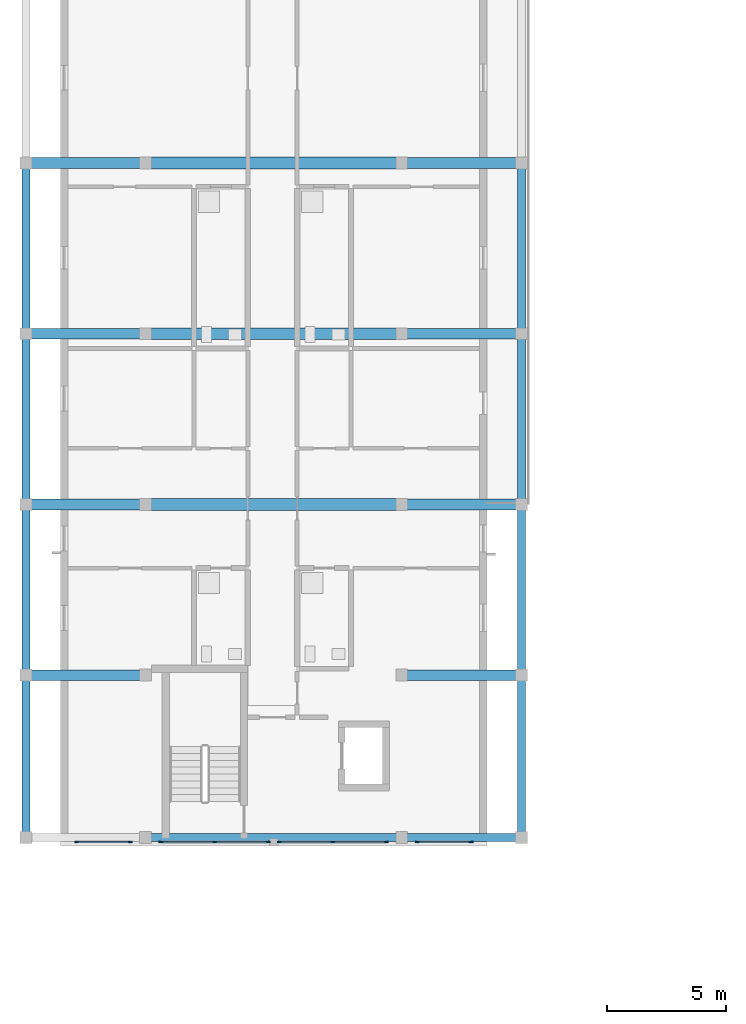
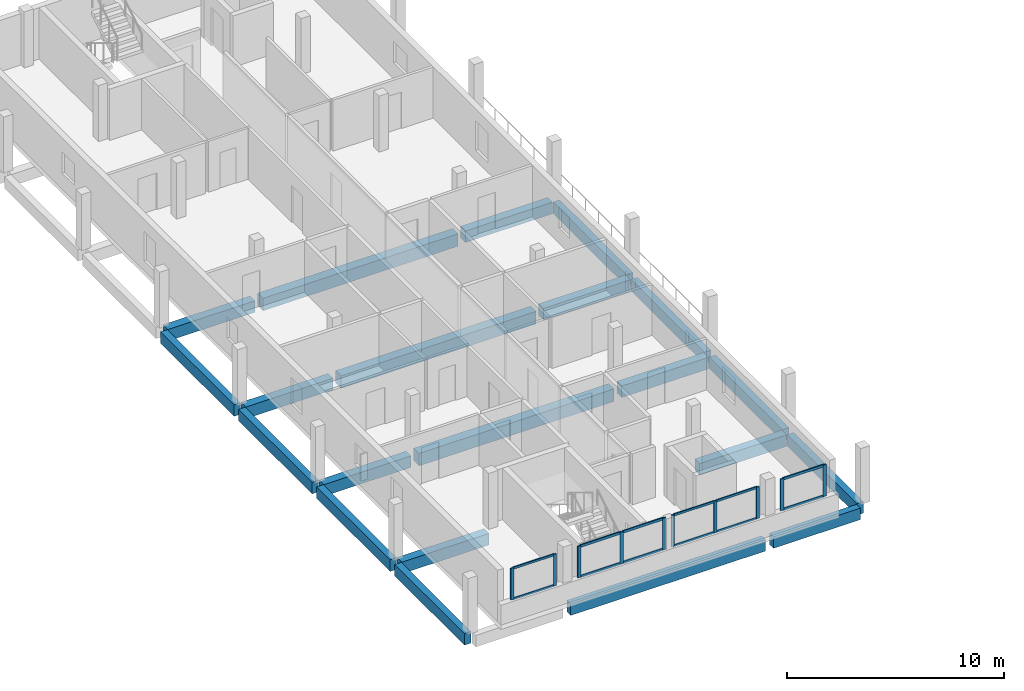
# One storey, part 2 of 16: 22 members, 21 beams, 4 elements without a shape of their own.
"""IFC4 building model written with IfcOpenShell, lengths in metres."""

from ifc_helpers import new_model, si_unit, derived_unit, direction, frame, origin, origin_2d, place, context, subcontext, project, spatial, rectangle, extrude, material, layer, layer_set, material_profile, profile_set, type_object, element, aggregate, save


model = new_model("IFC4")

# Units and contexts
model_context = context("Model", 3, precision=1e-05, world=origin(), true_north=direction((0.0, 1.0)))
body_context = subcontext(model_context, "Body", "Model", "MODEL_VIEW")
ifc_project = project(units=[si_unit("LENGTHUNIT", "METRE"), si_unit("AREAUNIT", "SQUARE_METRE"), si_unit("VOLUMEUNIT", "CUBIC_METRE"), si_unit("PLANEANGLEUNIT", "RADIAN"), si_unit("MASSUNIT", "GRAM", prefix="KILO"), derived_unit("THERMALTRANSMITTANCEUNIT", [(si_unit("MASSUNIT", "GRAM", prefix="KILO"), 1), (si_unit("TIMEUNIT", "SECOND"), -3), (si_unit("THERMODYNAMICTEMPERATUREUNIT", "KELVIN"), -1)])], contexts=[model_context])

# Site, building, storey
site_placement = place(None, origin())
site = spatial("IfcSite", under=ifc_project, at=site_placement, CompositionType="ELEMENT")
building_placement = place(site_placement, origin())
building = spatial("IfcBuilding", under=site, at=building_placement, Name="Ochrekiln Boulevard Commons", CompositionType="ELEMENT")
storey_placement = place(building_placement, frame((0.0, 0.0, 40.425048828125)))
storey = spatial("IfcBuildingStorey", under=building, at=storey_placement, Name="L12", CompositionType="ELEMENT", Elevation=40.425048828125)

# Beams
ifc_material_1 = material(Name="Concrete C35/45", Category="concrete")
ifc_material_profile_1 = material_profile(ifc_material_1, rectangle(XDim=0.449951171875, YDim=0.64990234375, at=origin_2d()), Name="RC-BM-450x650")
ifc_profile_set_1 = profile_set([ifc_material_profile_1], Name="Concrete C35/45")
beam_type_1 = type_object("IfcBeamType", Name="BM-RC-450x650", PredefinedType="BEAM", material=ifc_profile_set_1)
beam_1_placement = place(storey_placement, frame((0.56005859375, 75.60009765625, -0.574951171875), z_axis=(1.0, 0.0, 0.0), x_axis=(0.0, 1.0, 0.0)))
element("IfcBeam", 1, at=beam_1_placement, inside=storey, type_object=beam_type_1, Name="Block A L12 Beam B-4565 X4", PredefinedType="BEAM", context=body_context, shape_type="SweptSolid", body=[
    extrude(rectangle(XDim=0.449951171875, YDim=0.64990234375, at=origin_2d()), origin(), (0.0, 0.0, 1.0), 4.6298828125),
])
beam_2_placement = place(storey_placement, frame((16.409912109375, 75.60009765625, -0.574951171875), z_axis=(1.0, 0.0, 0.0), x_axis=(0.0, 1.0, 0.0)))
element("IfcBeam", 2, at=beam_2_placement, inside=storey, type_object=beam_type_1, Name="Block A L12 Beam B-4565 X5", PredefinedType="BEAM", context=body_context, shape_type="SweptSolid", body=[
    extrude(rectangle(XDim=0.449951171875, YDim=0.64990234375, at=origin_2d()), origin(), (0.0, 0.0, 1.0), 4.630126953125),
])
beam_3_placement = place(storey_placement, frame((0.56005859375, 82.800048828125, -0.574951171875), z_axis=(1.0, 0.0, 0.0), x_axis=(0.0, 1.0, 0.0)))
element("IfcBeam", 3, at=beam_3_placement, inside=storey, type_object=beam_type_1, Name="Block A L12 Beam B-4565 X6", PredefinedType="BEAM", context=body_context, shape_type="SweptSolid", body=[
    extrude(rectangle(XDim=0.449951171875, YDim=0.64990234375, at=origin_2d()), origin(), (0.0, 0.0, 1.0), 4.6298828125),
])
beam_4_placement = place(storey_placement, frame((16.409912109375, 82.800048828125, -0.574951171875), z_axis=(1.0, 0.0, 0.0), x_axis=(0.0, 1.0, 0.0)))
element("IfcBeam", 4, at=beam_4_placement, inside=storey, type_object=beam_type_1, Name="Block A L12 Beam B-4565 X8", PredefinedType="BEAM", context=body_context, shape_type="SweptSolid", body=[
    extrude(rectangle(XDim=0.449951171875, YDim=0.64990234375, at=origin_2d()), origin(), (0.0, 0.0, 1.0), 4.630126953125),
])
beam_5_placement = place(storey_placement, frame((0.56005859375, 90.0, -0.574951171875), z_axis=(1.0, 0.0, 0.0), x_axis=(0.0, 1.0, 0.0)))
element("IfcBeam", 5, at=beam_5_placement, inside=storey, type_object=beam_type_1, Name="Block A L12 Beam B-4565 X9", PredefinedType="BEAM", context=body_context, shape_type="SweptSolid", body=[
    extrude(rectangle(XDim=0.449951171875, YDim=0.64990234375, at=origin_2d()), origin(), (0.0, 0.0, 1.0), 4.6298828125),
])
beam_6_placement = place(storey_placement, frame((16.409912109375, 90.0, -0.574951171875), z_axis=(1.0, 0.0, 0.0), x_axis=(0.0, 1.0, 0.0)))
element("IfcBeam", 6, at=beam_6_placement, inside=storey, type_object=beam_type_1, Name="Block A L12 Beam B-4565 X11", PredefinedType="BEAM", context=body_context, shape_type="SweptSolid", body=[
    extrude(rectangle(XDim=0.449951171875, YDim=0.64990234375, at=origin_2d()), origin(), (0.0, 0.0, 1.0), 4.630126953125),
])
beam_7_placement = place(storey_placement, frame((0.56005859375, 97.199951171875, -0.574951171875), z_axis=(1.0, 0.0, 0.0), x_axis=(0.0, 1.0, 0.0)))
element("IfcBeam", 7, at=beam_7_placement, inside=storey, type_object=beam_type_1, Name="Block A L12 Beam B-4565 X12", PredefinedType="BEAM", context=body_context, shape_type="SweptSolid", body=[
    extrude(rectangle(XDim=0.449951171875, YDim=0.64990234375, at=origin_2d()), origin(), (0.0, 0.0, 1.0), 4.6298828125),
])
beam_8_placement = place(storey_placement, frame((16.409912109375, 97.199951171875, -0.574951171875), z_axis=(1.0, 0.0, 0.0), x_axis=(0.0, 1.0, 0.0)))
element("IfcBeam", 8, at=beam_8_placement, inside=storey, type_object=beam_type_1, Name="Block A L12 Beam B-4565 X14", PredefinedType="BEAM", context=body_context, shape_type="SweptSolid", body=[
    extrude(rectangle(XDim=0.449951171875, YDim=0.64990234375, at=origin_2d()), origin(), (0.0, 0.0, 1.0), 4.630126953125),
])
ifc_material_2 = material(Name="Concrete C40/50", Category="concrete")
ifc_material_profile_2 = material_profile(ifc_material_2, rectangle(XDim=0.5, YDim=0.699951171875, at=origin_2d()), Name="RC-BM-500x700")
ifc_profile_set_2 = profile_set([ifc_material_profile_2], Name="Concrete C40/50")
beam_type_2 = type_object("IfcBeamType", Name="BM-RC-500x700", PredefinedType="BEAM", material=ifc_profile_set_2)
for number, where, z_axis, x_axis, name in (
    (9, (5.610107421875, 82.800048828125, -0.60009765625), (1.0, 0.0, 0.0), (0.0, 1.0, 0.0), "Block A L12 Beam B-5070 X7"),
    (10, (5.610107421875, 90.0, -0.60009765625), (1.0, 0.0, 0.0), (0.0, 1.0, 0.0), "Block A L12 Beam B-5070 X10"),
    (11, (5.610107421875, 97.199951171875, -0.60009765625), (1.0, 0.0, 0.0), (0.0, 1.0, 0.0), "Block A L12 Beam B-5070 X13"),
):
    element("IfcBeam", number, at=place(storey_placement, frame(where, z_axis=z_axis, x_axis=x_axis)), inside=storey, type_object=beam_type_2, Name=name, PredefinedType="BEAM", context=body_context, shape_type="SweptSolid", body=[
        extrude(rectangle(XDim=0.5, YDim=0.699951171875, at=origin_2d()), origin(), (0.0, 0.0, 1.0), 10.3798828125),
    ])

# Curtain wall, members
ifc_material_3 = material(Name="Bronze-anodized extruded aluminium 6063-T6", Category="aluminium")
ifc_layer = layer(ifc_material_3, 0.172119140625)
ifc_layer_set = layer_set([ifc_layer], Name="Bronze-anodized extruded aluminium 6063-T6")
curtain_wall_type = type_object("IfcCurtainWallType", Name="CW-GABLE-A", PredefinedType="USERDEFINED", material=ifc_layer_set)
curtain_wall_1_placement = place(storey_placement, origin())
curtain_wall_1 = element("IfcCurtainWall", 12, at=curtain_wall_1_placement, inside=storey, type_object=curtain_wall_type, Name="Block A L12 Courtyard Glazed Gable Curtain Wall 1", ObjectType="GLAZED CURTAIN WALL", PredefinedType="USERDEFINED")
ifc_material_profile_3 = material_profile(ifc_material_3, rectangle(XDim=0.06005859375, YDim=0.159912109375, at=origin_2d()), Name="ALU-MUL-60x160")
ifc_profile_set_3 = profile_set([ifc_material_profile_3], Name="Bronze-anodized extruded aluminium 6063-T6")
member_type_1 = type_object("IfcMemberType", Name="CWM-60x160", PredefinedType="MULLION", material=ifc_profile_set_3)
member_1_placement = place(storey_placement, frame((2.47998046875, 68.56005859375, 1.10986328125), z_axis=(0.0, 0.0, 1.0), x_axis=(0.0, 1.0, 0.0)))
member_1 = element("IfcMember", 13, at=member_1_placement, type_object=member_type_1, Name="CW-01 mullion 1", PredefinedType="MULLION", context=body_context, shape_type="SweptSolid", body=[
    extrude(rectangle(XDim=0.06005859375, YDim=0.159912109375, at=origin_2d()), origin(), (0.0, 0.0, 1.0), 1.780029296875),
])
member_2_placement = place(storey_placement, frame((4.75, 68.56005859375, 1.10986328125), z_axis=(0.0, 0.0, 1.0), x_axis=(0.0, 1.0, 0.0)))
member_2 = element("IfcMember", 14, at=member_2_placement, type_object=member_type_1, Name="CW-01 mullion 2", PredefinedType="MULLION", context=body_context, shape_type="SweptSolid", body=[
    extrude(rectangle(XDim=0.06005859375, YDim=0.159912109375, at=origin_2d()), origin(), (0.0, 0.0, 1.0), 1.780029296875),
])

curtain_wall_2_placement = place(storey_placement, origin())
curtain_wall_2 = element("IfcCurtainWall", 15, at=curtain_wall_2_placement, inside=storey, type_object=curtain_wall_type, Name="Block A L12 Courtyard Glazed Gable Curtain Wall 3", ObjectType="GLAZED CURTAIN WALL", PredefinedType="USERDEFINED")
member_3_placement = place(storey_placement, frame((11.030029296875, 68.56005859375, 1.10986328125), z_axis=(0.0, 0.0, 1.0), x_axis=(0.0, 1.0, 0.0)))
member_3 = element("IfcMember", 16, at=member_3_placement, type_object=member_type_1, Name="CW-01 mullion 1", PredefinedType="MULLION", context=body_context, shape_type="SweptSolid", body=[
    extrude(rectangle(XDim=0.06005859375, YDim=0.159912109375, at=origin_2d()), origin(), (0.0, 0.0, 1.0), 1.780029296875),
])
member_4_placement = place(storey_placement, frame((13.2900390625, 68.56005859375, 1.10986328125), z_axis=(0.0, 0.0, 1.0), x_axis=(0.0, 1.0, 0.0)))
member_4 = element("IfcMember", 17, at=member_4_placement, type_object=member_type_1, Name="CW-01 mullion 2", PredefinedType="MULLION", context=body_context, shape_type="SweptSolid", body=[
    extrude(rectangle(XDim=0.06005859375, YDim=0.159912109375, at=origin_2d()), origin(), (0.0, 0.0, 1.0), 1.780029296875),
])
member_5_placement = place(storey_placement, frame((15.550048828125, 68.56005859375, 1.10986328125), z_axis=(0.0, 0.0, 1.0), x_axis=(0.0, 1.0, 0.0)))
member_5 = element("IfcMember", 18, at=member_5_placement, type_object=member_type_1, Name="CW-01 mullion 3", PredefinedType="MULLION", context=body_context, shape_type="SweptSolid", body=[
    extrude(rectangle(XDim=0.06005859375, YDim=0.159912109375, at=origin_2d()), origin(), (0.0, 0.0, 1.0), 1.780029296875),
])

curtain_wall_3_placement = place(storey_placement, origin())
curtain_wall_3 = element("IfcCurtainWall", 19, at=curtain_wall_3_placement, inside=storey, type_object=curtain_wall_type, Name="Block A L12 Courtyard Glazed Gable Curtain Wall 2", ObjectType="GLAZED CURTAIN WALL", PredefinedType="USERDEFINED")
ifc_material_profile_4 = material_profile(ifc_material_3, rectangle(XDim=0.06494140625, YDim=0.179931640625, at=origin_2d()), Name="ALU-MUL-65x180")
ifc_profile_set_4 = profile_set([ifc_material_profile_4], Name="Bronze-anodized extruded aluminium 6063-T6")
member_type_2 = type_object("IfcMemberType", Name="CWM-65x180", PredefinedType="MULLION", material=ifc_profile_set_4)
member_6_placement = place(storey_placement, frame((6.052490234375, 68.56005859375, 1.10986328125), z_axis=(0.0, 0.0, 1.0), x_axis=(0.0, 1.0, 0.0)))
member_6 = element("IfcMember", 20, at=member_6_placement, type_object=member_type_2, Name="CW-01 mullion 1", PredefinedType="MULLION", context=body_context, shape_type="SweptSolid", body=[
    extrude(rectangle(XDim=0.06494140625, YDim=0.179931640625, at=origin_2d()), origin(), (0.0, 0.0, 1.0), 1.780029296875),
])
member_7_placement = place(storey_placement, frame((8.31005859375, 68.56005859375, 1.10986328125), z_axis=(0.0, 0.0, 1.0), x_axis=(0.0, 1.0, 0.0)))
member_7 = element("IfcMember", 21, at=member_7_placement, type_object=member_type_2, Name="CW-01 mullion 2", PredefinedType="MULLION", context=body_context, shape_type="SweptSolid", body=[
    extrude(rectangle(XDim=0.06494140625, YDim=0.179931640625, at=origin_2d()), origin(), (0.0, 0.0, 1.0), 1.780029296875),
])
member_8_placement = place(storey_placement, frame((10.5673828125, 68.56005859375, 1.10986328125), z_axis=(0.0, 0.0, 1.0), x_axis=(0.0, 1.0, 0.0)))
member_8 = element("IfcMember", 22, at=member_8_placement, type_object=member_type_2, Name="CW-01 mullion 3", PredefinedType="MULLION", context=body_context, shape_type="SweptSolid", body=[
    extrude(rectangle(XDim=0.06494140625, YDim=0.179931640625, at=origin_2d()), origin(), (0.0, 0.0, 1.0), 1.780029296875),
])

curtain_wall_4_placement = place(storey_placement, origin())
curtain_wall_4 = element("IfcCurtainWall", 23, at=curtain_wall_4_placement, inside=storey, type_object=curtain_wall_type, Name="Block A L12 Courtyard Glazed Gable Curtain Wall 4", ObjectType="GLAZED CURTAIN WALL", PredefinedType="USERDEFINED")
member_9_placement = place(storey_placement, frame((16.8525390625, 68.56005859375, 1.10986328125), z_axis=(0.0, 0.0, 1.0), x_axis=(0.0, 1.0, 0.0)))
member_9 = element("IfcMember", 24, at=member_9_placement, type_object=member_type_2, Name="CW-01 mullion 1", PredefinedType="MULLION", context=body_context, shape_type="SweptSolid", body=[
    extrude(rectangle(XDim=0.06494140625, YDim=0.179931640625, at=origin_2d()), origin(), (0.0, 0.0, 1.0), 1.780029296875),
])
member_10_placement = place(storey_placement, frame((19.117431640625, 68.56005859375, 1.10986328125), z_axis=(0.0, 0.0, 1.0), x_axis=(0.0, 1.0, 0.0)))
member_10 = element("IfcMember", 25, at=member_10_placement, type_object=member_type_2, Name="CW-01 mullion 2", PredefinedType="MULLION", context=body_context, shape_type="SweptSolid", body=[
    extrude(rectangle(XDim=0.06494140625, YDim=0.179931640625, at=origin_2d()), origin(), (0.0, 0.0, 1.0), 1.780029296875),
])

# Member
ifc_material_profile_5 = material_profile(ifc_material_3, rectangle(XDim=0.06005859375, YDim=0.1201171875, at=origin_2d()), Name="ALU-TRN-60x120")
ifc_profile_set_5 = profile_set([ifc_material_profile_5], Name="Bronze-anodized extruded aluminium 6063-T6")
member_type_3 = type_object("IfcMemberType", Name="CWT-60x120", PredefinedType="USERDEFINED", material=ifc_profile_set_5)
member_11_placement = place(storey_placement, frame((2.510009765625, 68.56005859375, 1.139892578125), z_axis=(1.0, 0.0, 0.0), x_axis=(0.0, 1.0, 0.0)))
member_11 = element("IfcMember", 26, at=member_11_placement, type_object=member_type_3, Name="CW-01 transom 1.1", ObjectType="TRANSOM", PredefinedType="USERDEFINED", context=body_context, shape_type="SweptSolid", body=[
    extrude(rectangle(XDim=0.06005859375, YDim=0.1201171875, at=origin_2d()), origin(), (0.0, 0.0, 1.0), 2.2099609375),
])

member_12_placement = place(storey_placement, frame((2.510009765625, 68.56005859375, 2.85986328125), z_axis=(1.0, 0.0, 0.0), x_axis=(0.0, 1.0, 0.0)))
member_12 = element("IfcMember", 27, at=member_12_placement, type_object=member_type_3, Name="CW-01 transom 1.2", ObjectType="TRANSOM", PredefinedType="USERDEFINED", context=body_context, shape_type="SweptSolid", body=[
    extrude(rectangle(XDim=0.06005859375, YDim=0.1201171875, at=origin_2d()), origin(), (0.0, 0.0, 1.0), 2.2099609375),
])

aggregate(curtain_wall_1, [member_1, member_2, member_11, member_12])

member_13_placement = place(storey_placement, frame((11.06005859375, 68.56005859375, 1.139892578125), z_axis=(1.0, 0.0, 0.0), x_axis=(0.0, 1.0, 0.0)))
member_13 = element("IfcMember", 28, at=member_13_placement, type_object=member_type_3, Name="CW-01 transom 1.1", ObjectType="TRANSOM", PredefinedType="USERDEFINED", context=body_context, shape_type="SweptSolid", body=[
    extrude(rectangle(XDim=0.06005859375, YDim=0.1201171875, at=origin_2d()), origin(), (0.0, 0.0, 1.0), 2.199951171875),
])

member_14_placement = place(storey_placement, frame((11.06005859375, 68.56005859375, 2.85986328125), z_axis=(1.0, 0.0, 0.0), x_axis=(0.0, 1.0, 0.0)))
member_14 = element("IfcMember", 29, at=member_14_placement, type_object=member_type_3, Name="CW-01 transom 1.2", ObjectType="TRANSOM", PredefinedType="USERDEFINED", context=body_context, shape_type="SweptSolid", body=[
    extrude(rectangle(XDim=0.06005859375, YDim=0.1201171875, at=origin_2d()), origin(), (0.0, 0.0, 1.0), 2.199951171875),
])

member_15_placement = place(storey_placement, frame((13.320068359375, 68.56005859375, 1.139892578125), z_axis=(1.0, 0.0, 0.0), x_axis=(0.0, 1.0, 0.0)))
member_15 = element("IfcMember", 30, at=member_15_placement, type_object=member_type_3, Name="CW-01 transom 2.1", ObjectType="TRANSOM", PredefinedType="USERDEFINED", context=body_context, shape_type="SweptSolid", body=[
    extrude(rectangle(XDim=0.06005859375, YDim=0.1201171875, at=origin_2d()), origin(), (0.0, 0.0, 1.0), 2.199951171875),
])

member_16_placement = place(storey_placement, frame((13.320068359375, 68.56005859375, 2.85986328125), z_axis=(1.0, 0.0, 0.0), x_axis=(0.0, 1.0, 0.0)))
member_16 = element("IfcMember", 31, at=member_16_placement, type_object=member_type_3, Name="CW-01 transom 2.2", ObjectType="TRANSOM", PredefinedType="USERDEFINED", context=body_context, shape_type="SweptSolid", body=[
    extrude(rectangle(XDim=0.06005859375, YDim=0.1201171875, at=origin_2d()), origin(), (0.0, 0.0, 1.0), 2.199951171875),
])

aggregate(curtain_wall_2, [member_3, member_4, member_5, member_13, member_14, member_15, member_16])

ifc_material_profile_6 = material_profile(ifc_material_3, rectangle(XDim=0.06494140625, YDim=0.139892578125, at=origin_2d()), Name="ALU-TRN-65x140")
ifc_profile_set_6 = profile_set([ifc_material_profile_6], Name="Bronze-anodized extruded aluminium 6063-T6")
member_type_4 = type_object("IfcMemberType", Name="CWT-65x140", PredefinedType="USERDEFINED", material=ifc_profile_set_6)
member_17_placement = place(storey_placement, frame((6.0849609375, 68.56005859375, 1.142333984375), z_axis=(1.0, 0.0, 0.0), x_axis=(0.0, 1.0, 0.0)))
member_17 = element("IfcMember", 32, at=member_17_placement, type_object=member_type_4, Name="CW-01 transom 1.1", ObjectType="TRANSOM", PredefinedType="USERDEFINED", context=body_context, shape_type="SweptSolid", body=[
    extrude(rectangle(XDim=0.06494140625, YDim=0.139892578125, at=origin_2d()), origin(), (0.0, 0.0, 1.0), 2.192626953125),
])

member_18_placement = place(storey_placement, frame((6.0849609375, 68.56005859375, 2.857421875), z_axis=(1.0, 0.0, 0.0), x_axis=(0.0, 1.0, 0.0)))
member_18 = element("IfcMember", 33, at=member_18_placement, type_object=member_type_4, Name="CW-01 transom 1.2", ObjectType="TRANSOM", PredefinedType="USERDEFINED", context=body_context, shape_type="SweptSolid", body=[
    extrude(rectangle(XDim=0.06494140625, YDim=0.139892578125, at=origin_2d()), origin(), (0.0, 0.0, 1.0), 2.192626953125),
])

member_19_placement = place(storey_placement, frame((8.342529296875, 68.56005859375, 1.142333984375), z_axis=(1.0, 0.0, 0.0), x_axis=(0.0, 1.0, 0.0)))
member_19 = element("IfcMember", 34, at=member_19_placement, type_object=member_type_4, Name="CW-01 transom 2.1", ObjectType="TRANSOM", PredefinedType="USERDEFINED", context=body_context, shape_type="SweptSolid", body=[
    extrude(rectangle(XDim=0.06494140625, YDim=0.139892578125, at=origin_2d()), origin(), (0.0, 0.0, 1.0), 2.1923828125),
])

member_20_placement = place(storey_placement, frame((8.342529296875, 68.56005859375, 2.857421875), z_axis=(1.0, 0.0, 0.0), x_axis=(0.0, 1.0, 0.0)))
member_20 = element("IfcMember", 35, at=member_20_placement, type_object=member_type_4, Name="CW-01 transom 2.2", ObjectType="TRANSOM", PredefinedType="USERDEFINED", context=body_context, shape_type="SweptSolid", body=[
    extrude(rectangle(XDim=0.06494140625, YDim=0.139892578125, at=origin_2d()), origin(), (0.0, 0.0, 1.0), 2.1923828125),
])

aggregate(curtain_wall_3, [member_6, member_7, member_8, member_17, member_18, member_19, member_20])

member_21_placement = place(storey_placement, frame((16.885009765625, 68.56005859375, 1.142333984375), z_axis=(1.0, 0.0, 0.0), x_axis=(0.0, 1.0, 0.0)))
member_21 = element("IfcMember", 36, at=member_21_placement, type_object=member_type_4, Name="CW-01 transom 1.1", ObjectType="TRANSOM", PredefinedType="USERDEFINED", context=body_context, shape_type="SweptSolid", body=[
    extrude(rectangle(XDim=0.06494140625, YDim=0.139892578125, at=origin_2d()), origin(), (0.0, 0.0, 1.0), 2.199951171875),
])

member_22_placement = place(storey_placement, frame((16.885009765625, 68.56005859375, 2.857421875), z_axis=(1.0, 0.0, 0.0), x_axis=(0.0, 1.0, 0.0)))
member_22 = element("IfcMember", 37, at=member_22_placement, type_object=member_type_4, Name="CW-01 transom 1.2", ObjectType="TRANSOM", PredefinedType="USERDEFINED", context=body_context, shape_type="SweptSolid", body=[
    extrude(rectangle(XDim=0.06494140625, YDim=0.139892578125, at=origin_2d()), origin(), (0.0, 0.0, 1.0), 2.199951171875),
])

aggregate(curtain_wall_4, [member_9, member_10, member_21, member_22])

# Beams
ifc_material_profile_7 = material_profile(ifc_material_2, rectangle(XDim=0.35009765625, YDim=0.64990234375, at=origin_2d()), Name="RC-SPN-350x650")
ifc_profile_set_7 = profile_set([ifc_material_profile_7], Name="Concrete C40/50")
beam_type_3 = type_object("IfcBeamType", Name="SPN-RC-350x650", PredefinedType="SPANDREL", material=ifc_profile_set_7)
beam_9_placement = place(storey_placement, frame((5.610107421875, 68.75, -0.574951171875), z_axis=(1.0, 0.0, 0.0), x_axis=(0.0, 1.0, 0.0)))
element("IfcBeam", 38, at=beam_9_placement, inside=storey, type_object=beam_type_3, Name="Block A L12 Beam SP-3565 X2", PredefinedType="SPANDREL", context=body_context, shape_type="SweptSolid", body=[
    extrude(rectangle(XDim=0.35009765625, YDim=0.64990234375, at=origin_2d()), origin(), (0.0, 0.0, 1.0), 10.3798828125),
])
beam_10_placement = place(storey_placement, frame((16.409912109375, 68.75, -0.574951171875), z_axis=(1.0, 0.0, 0.0), x_axis=(0.0, 1.0, 0.0)))
element("IfcBeam", 39, at=beam_10_placement, inside=storey, type_object=beam_type_3, Name="Block A L12 Beam SP-3565 X3", PredefinedType="SPANDREL", context=body_context, shape_type="SweptSolid", body=[
    extrude(rectangle(XDim=0.35009765625, YDim=0.64990234375, at=origin_2d()), origin(), (0.0, 0.0, 1.0), 4.630126953125),
])
beam_11_placement = place(storey_placement, frame((0.35009765625, 68.9599609375, -0.574951171875), z_axis=(0.0, 1.0, 0.0), x_axis=(-1.0, 0.0, 0.0)))
element("IfcBeam", 40, at=beam_11_placement, inside=storey, type_object=beam_type_3, Name="Block A L12 Beam SP-3565 Y23", PredefinedType="SPANDREL", context=body_context, shape_type="SweptSolid", body=[
    extrude(rectangle(XDim=0.35009765625, YDim=0.64990234375, at=origin_2d()), origin(), (0.0, 0.0, 1.0), 6.429931640625),
])
for number, where, z_axis, x_axis, name in (
    (41, (0.35009765625, 75.81005859375, -0.574951171875), (0.0, 1.0, 0.0), (-1.0, 0.0, 0.0), "Block A L12 Beam SP-3565 Y24"),
    (42, (0.35009765625, 83.010009765625, -0.574951171875), (0.0, 1.0, 0.0), (-1.0, 0.0, 0.0), "Block A L12 Beam SP-3565 Y25"),
    (43, (0.35009765625, 90.2099609375, -0.574951171875), (0.0, 1.0, 0.0), (-1.0, 0.0, 0.0), "Block A L12 Beam SP-3565 Y26"),
):
    element("IfcBeam", number, at=place(storey_placement, frame(where, z_axis=z_axis, x_axis=x_axis)), inside=storey, type_object=beam_type_3, Name=name, PredefinedType="SPANDREL", context=body_context, shape_type="SweptSolid", body=[
        extrude(rectangle(XDim=0.35009765625, YDim=0.64990234375, at=origin_2d()), origin(), (0.0, 0.0, 1.0), 6.780029296875),
    ])
beam_12_placement = place(storey_placement, frame((21.25, 68.9599609375, -0.574951171875), z_axis=(0.0, 1.0, 0.0), x_axis=(-1.0, 0.0, 0.0)))
element("IfcBeam", 44, at=beam_12_placement, inside=storey, type_object=beam_type_3, Name="Block A L12 Beam SP-3565 Y30", PredefinedType="SPANDREL", context=body_context, shape_type="SweptSolid", body=[
    extrude(rectangle(XDim=0.35009765625, YDim=0.64990234375, at=origin_2d()), origin(), (0.0, 0.0, 1.0), 6.429931640625),
])
for number, where, z_axis, x_axis, name in (
    (45, (21.25, 75.81005859375, -0.574951171875), (0.0, 1.0, 0.0), (-1.0, 0.0, 0.0), "Block A L12 Beam SP-3565 Y31"),
    (46, (21.25, 83.010009765625, -0.574951171875), (0.0, 1.0, 0.0), (-1.0, 0.0, 0.0), "Block A L12 Beam SP-3565 Y32"),
    (47, (21.25, 90.2099609375, -0.574951171875), (0.0, 1.0, 0.0), (-1.0, 0.0, 0.0), "Block A L12 Beam SP-3565 Y33"),
):
    element("IfcBeam", number, at=place(storey_placement, frame(where, z_axis=z_axis, x_axis=x_axis)), inside=storey, type_object=beam_type_3, Name=name, PredefinedType="SPANDREL", context=body_context, shape_type="SweptSolid", body=[
        extrude(rectangle(XDim=0.35009765625, YDim=0.64990234375, at=origin_2d()), origin(), (0.0, 0.0, 1.0), 6.780029296875),
    ])

save(model, "model.ifc")
